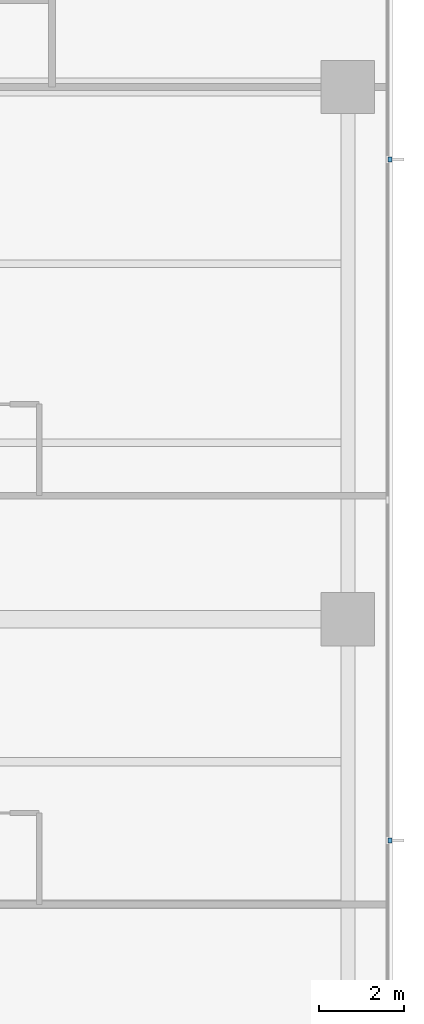
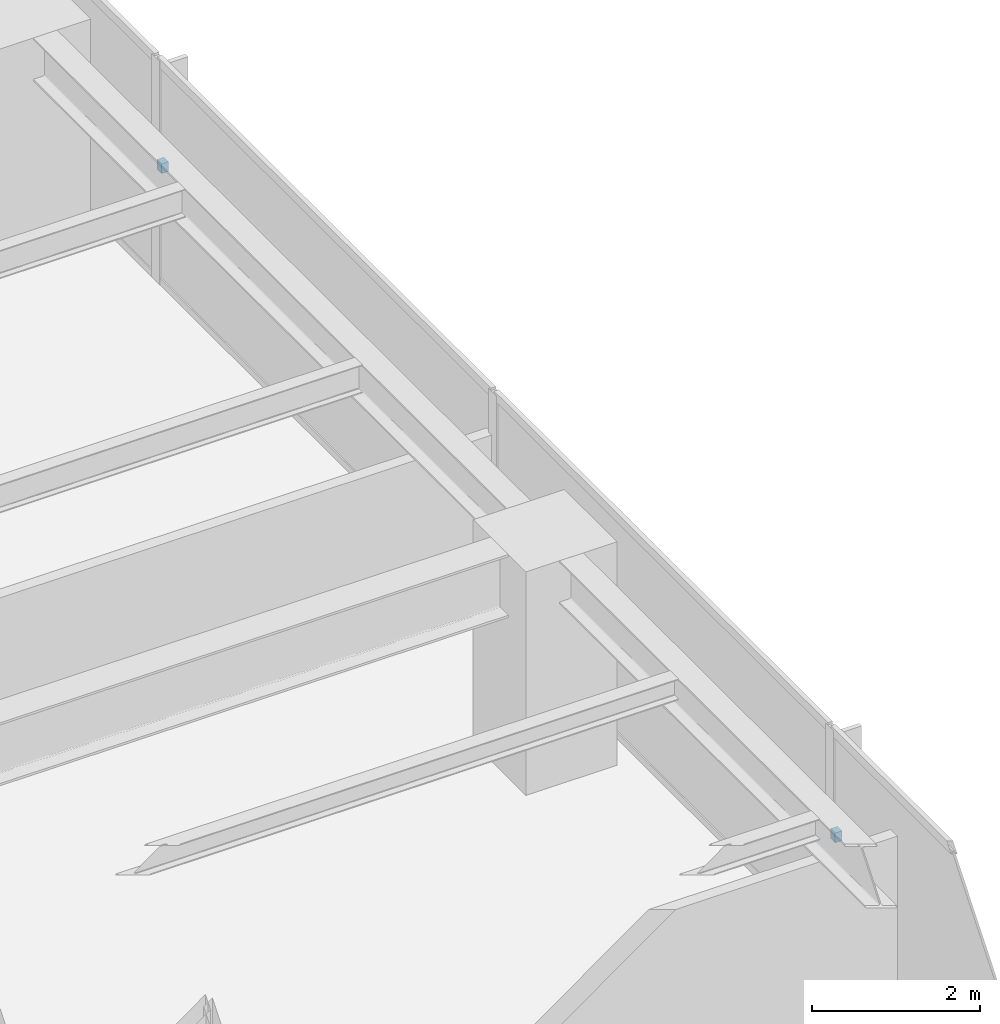
# One storey, part 14 of 18: 2 discrete accessories.
"""IFC4 building model written with IfcOpenShell, lengths in metres."""

from ifc_helpers import new_model, si_unit, direction, frame, origin, place, context, subcontext, project, spatial, polyline, outline, extrude, material, type_object, element, save


model = new_model("IFC4")

# Units and contexts
model_context = context("Model", 3, precision=1e-05, world=origin(), true_north=direction((0.0, 1.0)))
body_context = subcontext(model_context, "Body", "Model", "MODEL_VIEW")
ifc_project = project(units=[si_unit("LENGTHUNIT", "METRE"), si_unit("AREAUNIT", "SQUARE_METRE"), si_unit("VOLUMEUNIT", "CUBIC_METRE"), si_unit("PLANEANGLEUNIT", "RADIAN"), si_unit("MASSUNIT", "GRAM", prefix="KILO")], contexts=[model_context])

# Site, building, storey
site_placement = place(None, origin())
site = spatial("IfcSite", under=ifc_project, at=site_placement, CompositionType="ELEMENT")
building_placement = place(site_placement, origin())
building = spatial("IfcBuilding", under=site, at=building_placement, Name="Qalmaran Belvedere Hotel", CompositionType="ELEMENT")
storey_placement = place(building_placement, frame((0.0, 0.0, 95.199951171875)))
storey = spatial("IfcBuildingStorey", under=building, at=storey_placement, Name="L23", CompositionType="ELEMENT", Elevation=95.199951171875)

# Discrete accessories
ifc_material = material(Name="Stainless Steel 1.4401", Category="steel")
discrete_accessory_type = type_object("IfcDiscreteAccessoryType", Name="BRK-FIN-SS316", PredefinedType="BRACKET", material=ifc_material)
discrete_accessory_1_placement = place(storey_placement, frame((0.0, 0.0, 1.570068359375)))
element("IfcDiscreteAccessory", 1, at=discrete_accessory_1_placement, inside=storey, type_object=discrete_accessory_type, Name="L23 Fin Bracket 1", PredefinedType="BRACKET", context=body_context, shape_type="SweptSolid", body=[
    extrude(outline(polyline([(58.89501953125, 15.2451171875), (58.989990234375, 15.2451171875), (58.989990234375, 15.35498046875), (58.89501953125, 15.35498046875), (58.89501953125, 15.2451171875)])), origin(), (0.0, 0.0, 1.0), 0.139892578125),
])
discrete_accessory_2_placement = place(storey_placement, frame((0.0, 0.0, 1.570068359375)))
element("IfcDiscreteAccessory", 2, at=discrete_accessory_2_placement, inside=storey, type_object=discrete_accessory_type, Name="L23 Fin Bracket 3", PredefinedType="BRACKET", context=body_context, shape_type="SweptSolid", body=[
    extrude(outline(polyline([(58.89501953125, 31.2451171875), (58.989990234375, 31.2451171875), (58.989990234375, 31.35498046875), (58.89501953125, 31.35498046875), (58.89501953125, 31.2451171875)])), origin(), (0.0, 0.0, 1.0), 0.139892578125),
])

save(model, "model.ifc")
